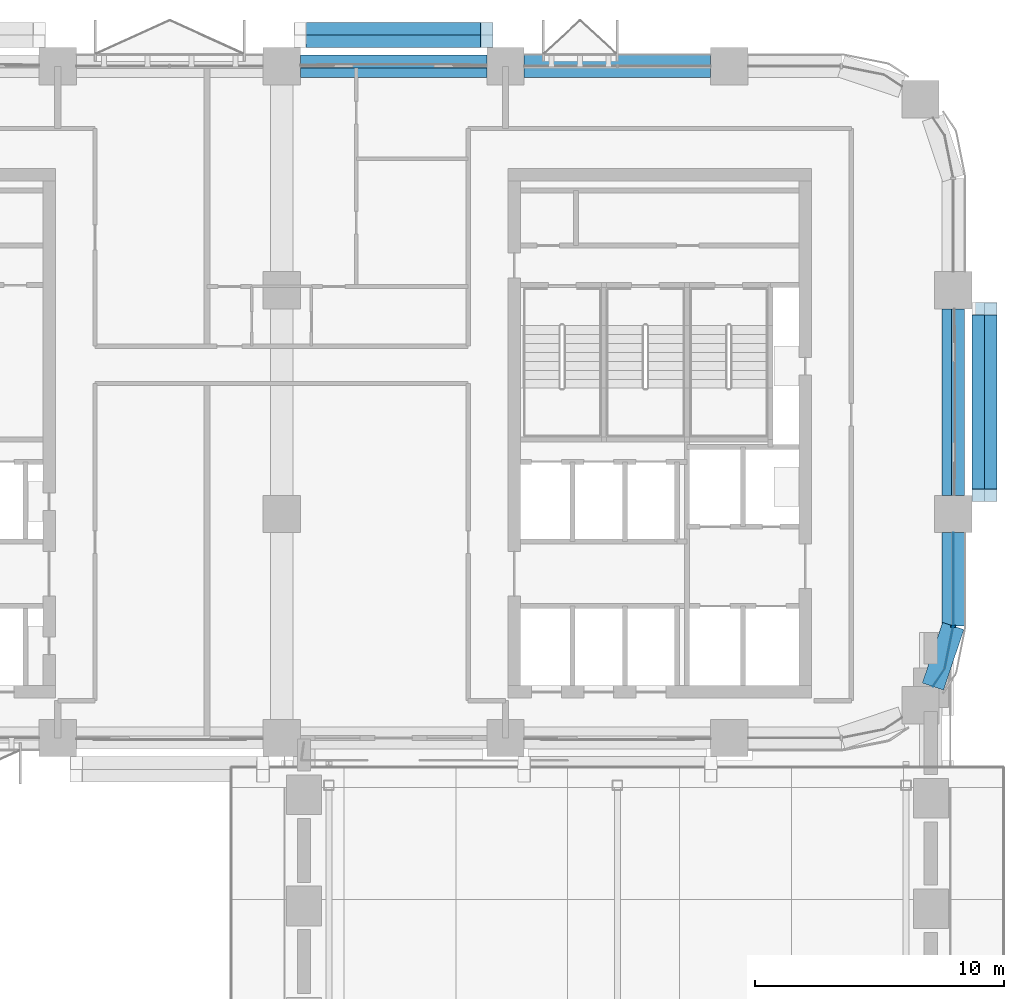
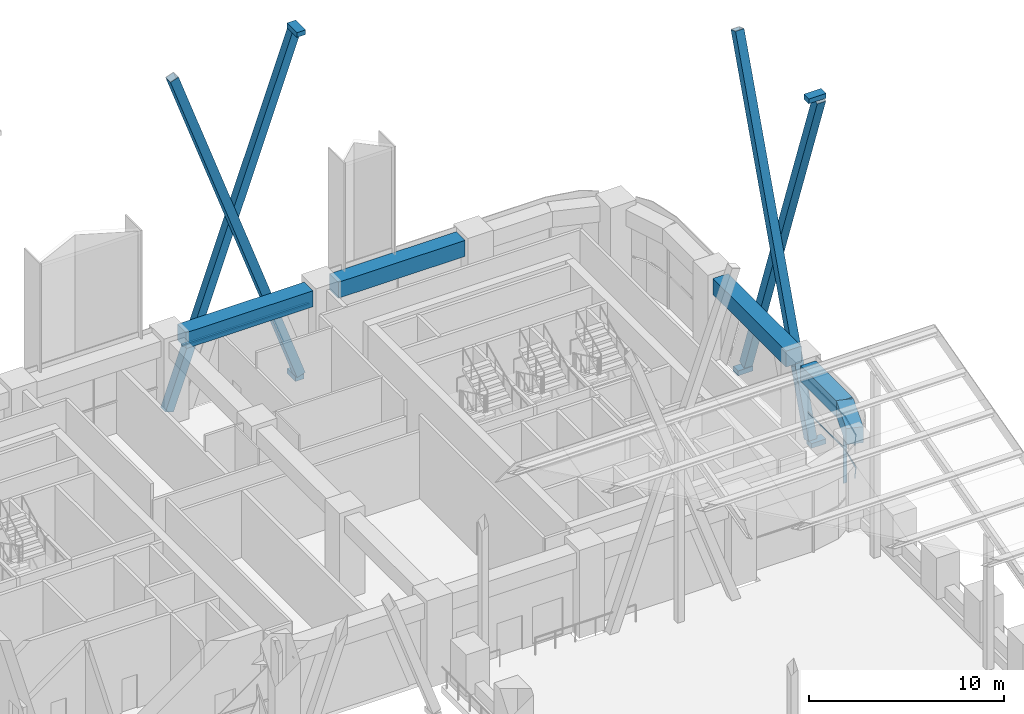
# One storey, part 8 of 22: 14 members, 5 beams, 3 elements without a shape of their own.
"""IFC4 building model written with IfcOpenShell, lengths in metres."""

from ifc_helpers import new_model, si_unit, direction, frame, origin, origin_2d, place, context, subcontext, project, spatial, polyline, rectangle, hollow_rectangle, outline, extrude, material, layer, layer_set, material_profile, profile_set, type_object, element, aggregate, save


model = new_model("IFC4")

# Units and contexts
model_context = context("Model", 3, precision=1e-05, world=origin(), true_north=direction((0.0, 1.0)))
body_context = subcontext(model_context, "Body", "Model", "MODEL_VIEW")
ifc_project = project(units=[si_unit("LENGTHUNIT", "METRE"), si_unit("AREAUNIT", "SQUARE_METRE"), si_unit("VOLUMEUNIT", "CUBIC_METRE"), si_unit("PLANEANGLEUNIT", "RADIAN"), si_unit("MASSUNIT", "GRAM", prefix="KILO")], contexts=[model_context])

# Site, building, storey
site_placement = place(None, origin())
site = spatial("IfcSite", under=ifc_project, at=site_placement, CompositionType="ELEMENT")
building_placement = place(site_placement, origin())
building = spatial("IfcBuilding", under=site, at=building_placement, Name="Tessera Arch", CompositionType="ELEMENT")
storey_placement = place(building_placement, frame((0.0, 0.0, 129.39990234375)))
storey = spatial("IfcBuildingStorey", under=building, at=storey_placement, Name="L30", CompositionType="ELEMENT", Elevation=129.39990234375)

# Members
ifc_material_1 = material(Name="Steel A500 Gr C", Category="steel")
ifc_material_profile_1 = material_profile(ifc_material_1, hollow_rectangle(XDim=0.508056640625, YDim=0.508056640625, WallThickness=0.0146484375, at=origin_2d()), Name="HSS20x20x5/8")
ifc_profile_set_1 = profile_set([ifc_material_profile_1], Name="Steel A500 Gr C")
member_type_1 = type_object("IfcMemberType", Name="Brace HSS20x20x5/8 Steel A500 Gr C", PredefinedType="BRACE", material=ifc_profile_set_1)
for number, where, z_axis, x_axis, name in (
    (1, (55.00390625, 36.75, -0.7998046875), (0.0, 0.334923631924, 0.942245276337), (-1.0, 0.0, 0.0), "Brace E54.27-0 A L30-L34"),
    (2, (55.511962890625, 44.25, -0.7998046875), (0.0, -0.334923631924, 0.942245276337), (1.0, 0.0, 0.0), "Brace E54.27-0 B L30-L34"),
    (3, (35.25, 55.00390625, -0.7998046875), (-0.334923631924, 0.0, 0.942245276337), (0.0, -1.0, 0.0), "Brace N54.0-2 A L30-L34"),
    (4, (27.75, 55.511962890625, -0.7998046875), (0.334923631924, 0.0, 0.942245276337), (0.0, 1.0, 0.0), "Brace N54.0-2 B L30-L34"),
):
    element("IfcMember", number, at=place(storey_placement, frame(where, z_axis=z_axis, x_axis=x_axis)), inside=storey, type_object=member_type_1, Name=name, PredefinedType="BRACE", context=body_context, shape_type="SweptSolid", body=[
        extrude(hollow_rectangle(XDim=0.508056640625, YDim=0.508056640625, WallThickness=0.0146484375, at=origin_2d()), origin(), (0.0, 0.0, 1.0), 22.39306640625),
    ])

# Curtain wall, members
ifc_material_2 = material(Name="CW2 curtain wall")
curtain_wall_type_1 = type_object("IfcCurtainWallType", Name="CW2 curtain wall", PredefinedType="NOTDEFINED", material=ifc_material_2)
curtain_wall_1_placement = place(storey_placement, origin())
curtain_wall_1 = element("IfcCurtainWall", 5, at=curtain_wall_1_placement, inside=storey, type_object=curtain_wall_type_1, Name="CW2 curtain wall E54.27/2 L30", PredefinedType="NOTDEFINED")
ifc_material_3 = material(Name="Anodised aluminium pale metal", Category="aluminium")
ifc_material_profile_2 = material_profile(ifc_material_3, rectangle(XDim=0.199951171875, YDim=0.080078125, at=origin_2d()), Name="AL 80x200")
ifc_profile_set_2 = profile_set([ifc_material_profile_2], Name="Anodised aluminium pale metal")
member_type_2 = type_object("IfcMemberType", Name="CW2 mullion", PredefinedType="MULLION", material=ifc_profile_set_2)
member_1_placement = place(storey_placement, frame((54.0, 31.5, 0.0), z_axis=(0.0, 0.0, 1.0), x_axis=(-1.0, 0.0, 0.0)))
member_1 = element("IfcMember", 6, at=member_1_placement, type_object=member_type_2, Name="CW2 mullion E54.27/2 1", PredefinedType="MULLION", context=body_context, shape_type="SweptSolid", body=[
    extrude(rectangle(XDim=0.199951171875, YDim=0.080078125, at=origin_2d()), origin(), (0.0, 0.0, 1.0), 4.10009765625),
])
ifc_material_4 = material(Name="Anodised aluminium pale metal", Category="aluminium")
ifc_material_profile_3 = material_profile(ifc_material_4, rectangle(XDim=0.199951171875, YDim=0.10009765625, at=origin_2d()), Name="AL 200x100")
ifc_profile_set_3 = profile_set([ifc_material_profile_3], Name="Anodised aluminium pale metal")
member_type_3 = type_object("IfcMemberType", Name="CW2 transom", PredefinedType="USERDEFINED", material=ifc_profile_set_3)
member_2_placement = place(storey_placement, frame((0.0, 0.0, 2.050048828125)))
member_2 = element("IfcMember", 7, at=member_2_placement, type_object=member_type_3, Name="CW2 transom E54.27/2 1", ObjectType="TRANSOM", PredefinedType="USERDEFINED", context=body_context, shape_type="SweptSolid", body=[
    extrude(outline(polyline([(53.648193359375, 29.78173828125), (53.1748046875, 29.073486328125), (53.19140625, 29.0625), (53.6669921875, 29.77392578125), (54.010009765625, 31.4990234375), (54.010009765625, 35.25), (53.989990234375, 35.25), (53.989990234375, 31.5009765625), (53.648193359375, 29.78173828125)])), origin(), (0.0, 0.0, 1.0), 0.10009765625),
])
member_3_placement = place(storey_placement, frame((0.0, 0.0, 4.10009765625)))
member_3 = element("IfcMember", 8, at=member_3_placement, type_object=member_type_3, Name="CW2 transom E54.27/2 2", ObjectType="TRANSOM", PredefinedType="USERDEFINED", context=body_context, shape_type="SweptSolid", body=[
    extrude(outline(polyline([(53.648193359375, 29.78173828125), (53.1748046875, 29.073486328125), (53.19140625, 29.0625), (53.6669921875, 29.77392578125), (54.010009765625, 31.4990234375), (54.010009765625, 35.25), (53.989990234375, 35.25), (53.989990234375, 31.5009765625), (53.648193359375, 29.78173828125)])), origin(), (0.0, 0.0, 1.0), 0.10009765625),
])
aggregate(curtain_wall_1, [member_1, member_2, member_3])

# Curtain wall, member
ifc_material_5 = material(Name="CW3 curtain wall")
curtain_wall_type_2 = type_object("IfcCurtainWallType", Name="CW3 curtain wall", PredefinedType="NOTDEFINED", material=ifc_material_5)
curtain_wall_2_placement = place(storey_placement, origin())
curtain_wall_2 = element("IfcCurtainWall", 9, at=curtain_wall_2_placement, inside=storey, type_object=curtain_wall_type_2, Name="CW3 curtain wall E54.27/0 L30", PredefinedType="NOTDEFINED")
ifc_material_6 = material(Name="Anodised aluminium pale metal", Category="aluminium")
ifc_material_profile_4 = material_profile(ifc_material_6, rectangle(XDim=0.139892578125, YDim=0.10009765625, at=origin_2d()), Name="AL 140x100")
ifc_profile_set_4 = profile_set([ifc_material_profile_4], Name="Anodised aluminium pale metal")
member_type_4 = type_object("IfcMemberType", Name="CW3 transom", PredefinedType="USERDEFINED", material=ifc_profile_set_4)
member_4_placement = place(storey_placement, frame((54.0, 36.75, 4.150146484375), z_axis=(0.0, 1.0, 0.0), x_axis=(-1.0, 0.0, 0.0)))
member_4 = element("IfcMember", 10, at=member_4_placement, type_object=member_type_4, Name="CW3 transom E54.27/0 1.1", ObjectType="TRANSOM", PredefinedType="USERDEFINED", context=body_context, shape_type="SweptSolid", body=[
    extrude(rectangle(XDim=0.139892578125, YDim=0.10009765625, at=origin_2d()), origin(), (0.0, 0.0, 1.0), 7.5),
])
aggregate(curtain_wall_2, [member_4])

curtain_wall_3_placement = place(storey_placement, origin())
curtain_wall_3 = element("IfcCurtainWall", 11, at=curtain_wall_3_placement, inside=storey, type_object=curtain_wall_type_2, Name="CW3 curtain wall N54.0/2 L30", PredefinedType="NOTDEFINED")
member_5_placement = place(storey_placement, frame((35.25, 54.0, 4.150146484375), z_axis=(-1.0, 0.0, 0.0), x_axis=(0.0, -1.0, 0.0)))
member_5 = element("IfcMember", 12, at=member_5_placement, type_object=member_type_4, Name="CW3 transom N54.0/2 1.1", ObjectType="TRANSOM", PredefinedType="USERDEFINED", context=body_context, shape_type="SweptSolid", body=[
    extrude(rectangle(XDim=0.139892578125, YDim=0.10009765625, at=origin_2d()), origin(), (0.0, 0.0, 1.0), 7.5),
])
aggregate(curtain_wall_3, [member_5])

# Members
ifc_material_7 = material(Name="Steel A572 Gr50", Category="steel")
ifc_layer = layer(ifc_material_7, 0.050048828125)
ifc_layer_set = layer_set([ifc_layer], Name="Node block Steel A572 Gr50")
member_type_5 = type_object("IfcMemberType", Name="Node block Steel A572 Gr50", PredefinedType="PLATE", material=ifc_layer_set)
for number, where, z_axis, x_axis, name in (
    (13, (55.3330078125, 44.25, -1.20849609375), (0.0, 0.0, 1.0), (0.0, 1.0, 0.0), "Node block seat E54.27-0 1 L30"),
    (14, (55.3330078125, 36.75, -1.20849609375), (0.0, 0.0, 1.0), (0.0, 1.0, 0.0), "Node block seat E54.27-0 2 L30"),
):
    element("IfcMember", number, at=place(storey_placement, frame(where, z_axis=z_axis, x_axis=x_axis)), inside=storey, type_object=member_type_5, Name=name, PredefinedType="PLATE", context=body_context, shape_type="SweptSolid", body=[
        extrude(rectangle(XDim=0.508056640625, YDim=0.865966796875, at=origin_2d()), origin(), (0.0, 0.0, 1.0), 0.300048828125),
    ])
member_6_placement = place(storey_placement, frame((55.258056640625, 36.75, 20.40869140625), z_axis=(0.0, 0.0, 1.0), x_axis=(0.0, 1.0, 0.0)))
element("IfcMember", 15, at=member_6_placement, inside=storey, type_object=member_type_5, Name="Node block head E54.27-0 B L30", PredefinedType="PLATE", context=body_context, shape_type="SweptSolid", body=[
    extrude(rectangle(XDim=0.508056640625, YDim=1.01611328125, at=origin_2d()), origin(), (0.0, 0.0, 1.0), 0.300048828125),
])
member_7_placement = place(storey_placement, frame((35.25, 55.3330078125, -1.20849609375), z_axis=(0.0, 0.0, 1.0), x_axis=(-1.0, 0.0, 0.0)))
element("IfcMember", 16, at=member_7_placement, inside=storey, type_object=member_type_5, Name="Node block seat N54.0-2 2 L30", PredefinedType="PLATE", context=body_context, shape_type="SweptSolid", body=[
    extrude(rectangle(XDim=0.508056640625, YDim=0.865966796875, at=origin_2d()), origin(), (0.0, 0.0, 1.0), 0.300048828125),
])
member_8_placement = place(storey_placement, frame((35.25, 55.258056640625, 20.40869140625), z_axis=(0.0, 0.0, 1.0), x_axis=(-1.0, 0.0, 0.0)))
element("IfcMember", 17, at=member_8_placement, inside=storey, type_object=member_type_5, Name="Node block head N54.0-2 B L30", PredefinedType="PLATE", context=body_context, shape_type="SweptSolid", body=[
    extrude(rectangle(XDim=0.508056640625, YDim=1.01611328125, at=origin_2d()), origin(), (0.0, 0.0, 1.0), 0.300048828125),
])

# Beams
ifc_material_8 = material(Name="Concrete C70/85", Category="concrete")
ifc_material_profile_5 = material_profile(ifc_material_8, rectangle(XDim=0.89990234375, YDim=1.0, at=origin_2d()), Name="RC spandrel beam 900 x 1000 Concrete C70/85")
ifc_profile_set_5 = profile_set([ifc_material_profile_5], Name="Concrete C70/85")
beam_type = type_object("IfcBeamType", Name="RC spandrel beam 900 x 1000 Concrete C70/85", PredefinedType="BEAM", material=ifc_profile_set_5)
for number, where, z_axis, x_axis, name in (
    (18, (54.0, 36.75, 4.7001953125), (0.0, 1.0, 0.0), (-1.0, 0.0, 0.0), "Spandrel beam L30 E54.27/0"),
    (19, (44.25, 54.0, 4.7001953125), (-1.0, 0.0, 0.0), (0.0, -1.0, 0.0), "Spandrel beam L30 N54.0/1"),
    (20, (35.25, 54.0, 4.7001953125), (-1.0, 0.0, 0.0), (0.0, -1.0, 0.0), "Spandrel beam L30 N54.0/2"),
):
    element("IfcBeam", number, at=place(storey_placement, frame(where, z_axis=z_axis, x_axis=x_axis)), inside=storey, type_object=beam_type, Name=name, PredefinedType="BEAM", context=body_context, shape_type="SweptSolid", body=[
        extrude(rectangle(XDim=0.89990234375, YDim=1.0, at=origin_2d()), origin(), (0.0, 0.0, 1.0), 7.5),
    ])
beam_1_placement = place(storey_placement, frame((53.18310546875, 29.068115234375, 4.7001953125), z_axis=(0.31842525032, 0.947947973234, 0.0), x_axis=(-0.947947973234, 0.31842525032, 0.0)))
element("IfcBeam", 21, at=beam_1_placement, inside=storey, type_object=beam_type, Name="Spandrel beam L30 E54.27/2.1", PredefinedType="BEAM", context=body_context, shape_type="SweptSolid", body=[
    extrude(rectangle(XDim=0.89990234375, YDim=1.0, at=origin_2d()), origin(), (0.0, 0.0, 1.0), 2.5654296875),
])
beam_2_placement = place(storey_placement, frame((54.0, 31.5, 4.7001953125), z_axis=(0.0, 1.0, 0.0), x_axis=(-1.0, 0.0, 0.0)))
element("IfcBeam", 22, at=beam_2_placement, inside=storey, type_object=beam_type, Name="Spandrel beam L30 E54.27/2.2", PredefinedType="BEAM", context=body_context, shape_type="SweptSolid", body=[
    extrude(rectangle(XDim=0.89990234375, YDim=1.0, at=origin_2d()), origin(), (0.0, 0.0, 1.0), 3.75),
])

save(model, "model.ifc")
